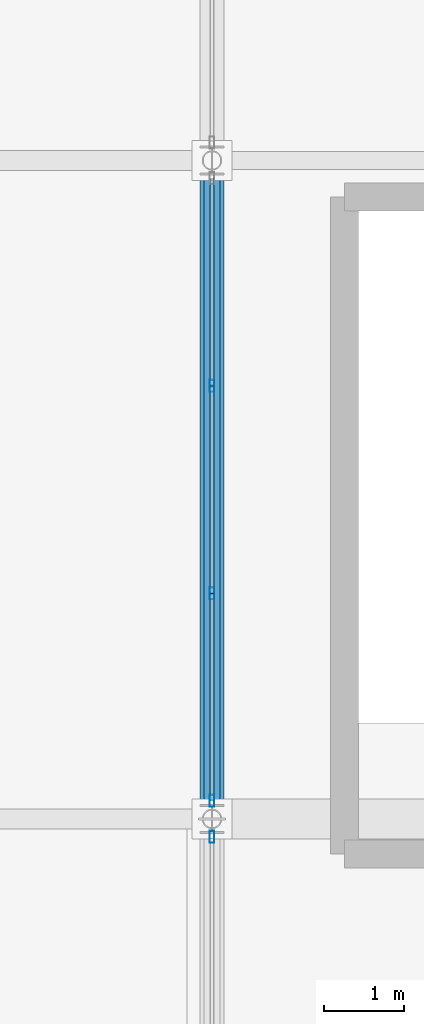
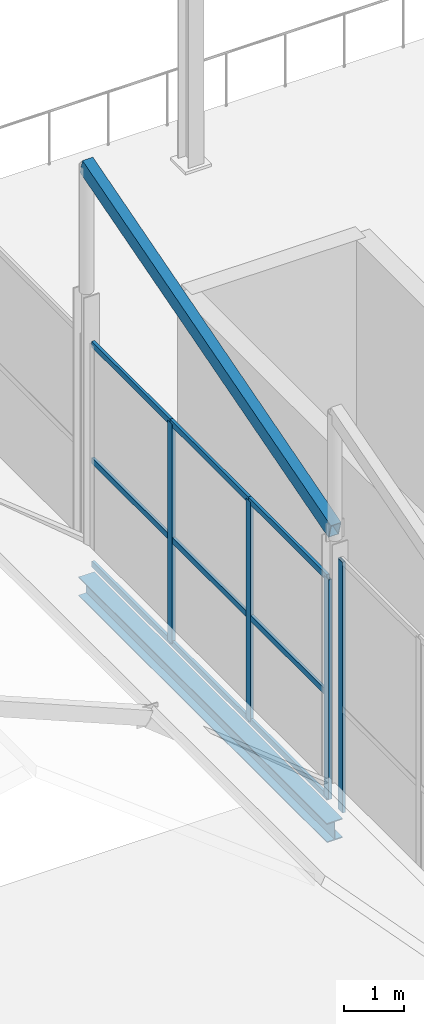
# One storey, part 18 of 141: 14 members, 1 beam, 2 elements without a shape of their own.
"""IFC4 building model written with IfcOpenShell, lengths in metres."""

from ifc_helpers import new_model, si_unit, direction, frame, origin, origin_2d, place, context, subcontext, project, spatial, hollow_rectangle, i_section, extrude, material, layer, layer_set, material_profile, profile_set, type_object, element, aggregate, save


model = new_model("IFC4")

# Units and contexts
model_context = context("Model", 3, precision=1e-05, world=origin(), true_north=direction((0.0, 1.0)))
body_context = subcontext(model_context, "Body", "Model", "MODEL_VIEW")
ifc_project = project(units=[si_unit("LENGTHUNIT", "METRE"), si_unit("AREAUNIT", "SQUARE_METRE"), si_unit("VOLUMEUNIT", "CUBIC_METRE"), si_unit("PLANEANGLEUNIT", "RADIAN"), si_unit("MASSUNIT", "GRAM", prefix="KILO")], contexts=[model_context])

# Site, building, storey
site_placement = place(None, origin())
site = spatial("IfcSite", under=ifc_project, at=site_placement, CompositionType="ELEMENT")
building_placement = place(site_placement, origin())
building = spatial("IfcBuilding", under=site, at=building_placement, Name="Sundgate Opera House", CompositionType="ELEMENT")
storey_placement = place(building_placement, frame((0.0, 0.0, 11.39990234375)))
storey = spatial("IfcBuildingStorey", under=building, at=storey_placement, Name="L02", CompositionType="ELEMENT", Elevation=11.39990234375)

# Beam
ifc_material_1 = material(Name="Steel S355J2", Category="steel")
ifc_material_profile_1 = material_profile(ifc_material_1, i_section(OverallWidth=0.300048828125, OverallDepth=0.389892578125, WebThickness=0.010986328125, FlangeThickness=0.01904296875, at=origin_2d()), Name="HEA 400")
ifc_profile_set_1 = profile_set([ifc_material_profile_1], Name="Steel S355J2")
beam_type = type_object("IfcBeamType", Name="BM-GR-HEA400", PredefinedType="BEAM", material=ifc_profile_set_1)
beam_placement = place(storey_placement, frame((95.39990234375, 24.75, -0.544921875), z_axis=(0.0, 1.0, 0.0), x_axis=(-1.0, 0.0, 0.0)))
element("IfcBeam", 1, at=beam_placement, inside=storey, type_object=beam_type, Name="L02 Primary N-S Girder B1846", PredefinedType="BEAM", context=body_context, shape_type="SweptSolid", body=[
    extrude(i_section(OverallWidth=0.300048828125, OverallDepth=0.389892578125, WebThickness=0.010986328125, FlangeThickness=0.01904296875, at=origin_2d()), origin(), (0.0, 0.0, 1.0), 8.25),
])

# Curtain wall, member
ifc_material_2 = material(Name="Anodized aluminium and low-iron glass", Category="aluminium")
ifc_layer = layer(ifc_material_2, 0.14990234375)
ifc_layer_set = layer_set([ifc_layer], Name="Anodized aluminium and low-iron glass")
curtain_wall_type = type_object("IfcCurtainWallType", Name="CW-WORKSHOP-DARK", PredefinedType="NOTDEFINED", material=ifc_layer_set)
curtain_wall_1_placement = place(storey_placement, origin())
curtain_wall_1 = element("IfcCurtainWall", 2, at=curtain_wall_1_placement, inside=storey, type_object=curtain_wall_type, Name="L02 Curtain Wall CW163", PredefinedType="NOTDEFINED")
ifc_material_3 = material(Name="Anodized aluminium EN AW-6063", Category="aluminium")
ifc_material_profile_2 = material_profile(ifc_material_3, hollow_rectangle(XDim=0.06005859375, YDim=0.14990234375, WallThickness=0.00390625, at=origin_2d()), Name="CWM 150x60x4")
ifc_profile_set_2 = profile_set([ifc_material_profile_2], Name="Anodized aluminium EN AW-6063")
member_type_1 = type_object("IfcMemberType", Name="CWM-ALU-150x60", PredefinedType="MULLION", material=ifc_profile_set_2)
member_1_placement = place(storey_placement, frame((95.39990234375, 24.52490234375, 0.0), z_axis=(0.0, 0.0, 1.0), x_axis=(1.0, 0.0, 0.0)))
member_1 = element("IfcMember", 3, at=member_1_placement, type_object=member_type_1, Name="CW163 Mullion 1", PredefinedType="MULLION", context=body_context, shape_type="SweptSolid", body=[
    extrude(hollow_rectangle(XDim=0.06005859375, YDim=0.14990234375, WallThickness=0.00390625, at=origin_2d()), origin(), (0.0, 0.0, 1.0), 5.085205078125),
])
aggregate(curtain_wall_1, [member_1])

# Curtain wall, members
curtain_wall_2_placement = place(storey_placement, origin())
curtain_wall_2 = element("IfcCurtainWall", 4, at=curtain_wall_2_placement, inside=storey, type_object=curtain_wall_type, Name="L02 Curtain Wall CW164", PredefinedType="NOTDEFINED")
member_2_placement = place(storey_placement, frame((95.39990234375, 30.175048828125, 0.0), z_axis=(0.0, 0.0, 1.0), x_axis=(1.0, 0.0, 0.0)))
member_2 = element("IfcMember", 5, at=member_2_placement, type_object=member_type_1, Name="CW164 Mullion 2", PredefinedType="MULLION", context=body_context, shape_type="SweptSolid", body=[
    extrude(hollow_rectangle(XDim=0.06005859375, YDim=0.14990234375, WallThickness=0.00390625, at=origin_2d()), origin(), (0.0, 0.0, 1.0), 4.455078125),
])
member_3_placement = place(storey_placement, frame((95.39990234375, 27.574951171875, 0.0), z_axis=(0.0, 0.0, 1.0), x_axis=(1.0, 0.0, 0.0)))
member_3 = element("IfcMember", 6, at=member_3_placement, type_object=member_type_1, Name="CW164 Mullion 3", PredefinedType="MULLION", context=body_context, shape_type="SweptSolid", body=[
    extrude(hollow_rectangle(XDim=0.06005859375, YDim=0.14990234375, WallThickness=0.00390625, at=origin_2d()), origin(), (0.0, 0.0, 1.0), 4.455078125),
])
member_4_placement = place(storey_placement, frame((95.39990234375, 24.97509765625, 0.0), z_axis=(0.0, 0.0, 1.0), x_axis=(1.0, 0.0, 0.0)))
member_4 = element("IfcMember", 7, at=member_4_placement, type_object=member_type_1, Name="CW164 Mullion 4", PredefinedType="MULLION", context=body_context, shape_type="SweptSolid", body=[
    extrude(hollow_rectangle(XDim=0.06005859375, YDim=0.14990234375, WallThickness=0.00390625, at=origin_2d()), origin(), (0.0, 0.0, 1.0), 4.455078125),
])
ifc_material_4 = material(Name="Anodized aluminium EN AW-6063", Category="aluminium")
ifc_material_profile_3 = material_profile(ifc_material_4, hollow_rectangle(XDim=0.054931640625, YDim=0.1201171875, WallThickness=0.00390625, at=origin_2d()), Name="CWT 120x55x4")
ifc_profile_set_3 = profile_set([ifc_material_profile_3], Name="Anodized aluminium EN AW-6063")
member_type_2 = type_object("IfcMemberType", Name="CWT-ALU-120x55", PredefinedType="USERDEFINED", material=ifc_profile_set_3)
member_5_placement = place(storey_placement, frame((95.39990234375, 32.77490234375, 0.0), z_axis=(0.0, -1.0, 0.0), x_axis=(1.0, 0.0, 0.0)))
member_5 = element("IfcMember", 8, at=member_5_placement, type_object=member_type_2, Name="CW164 Transom 1", ObjectType="TRANSOM", PredefinedType="USERDEFINED", context=body_context, shape_type="SweptSolid", body=[
    extrude(hollow_rectangle(XDim=0.054931640625, YDim=0.1201171875, WallThickness=0.00390625, at=origin_2d()), origin(), (0.0, 0.0, 1.0), 2.599853515625),
])
member_6_placement = place(storey_placement, frame((95.39990234375, 32.77490234375, 2.10009765625), z_axis=(0.0, -1.0, 0.0), x_axis=(1.0, 0.0, 0.0)))
member_6 = element("IfcMember", 9, at=member_6_placement, type_object=member_type_2, Name="CW164 Transom 2", ObjectType="TRANSOM", PredefinedType="USERDEFINED", context=body_context, shape_type="SweptSolid", body=[
    extrude(hollow_rectangle(XDim=0.054931640625, YDim=0.1201171875, WallThickness=0.00390625, at=origin_2d()), origin(), (0.0, 0.0, 1.0), 2.599853515625),
])
member_7_placement = place(storey_placement, frame((95.39990234375, 32.77490234375, 4.455078125), z_axis=(0.0, -1.0, 0.0), x_axis=(1.0, 0.0, 0.0)))
member_7 = element("IfcMember", 10, at=member_7_placement, type_object=member_type_2, Name="CW164 Transom 3", ObjectType="TRANSOM", PredefinedType="USERDEFINED", context=body_context, shape_type="SweptSolid", body=[
    extrude(hollow_rectangle(XDim=0.054931640625, YDim=0.1201171875, WallThickness=0.00390625, at=origin_2d()), origin(), (0.0, 0.0, 1.0), 2.599853515625),
])
member_8_placement = place(storey_placement, frame((95.39990234375, 30.175048828125, 0.0), z_axis=(0.0, -1.0, 0.0), x_axis=(1.0, 0.0, 0.0)))
member_8 = element("IfcMember", 11, at=member_8_placement, type_object=member_type_2, Name="CW164 Transom 4", ObjectType="TRANSOM", PredefinedType="USERDEFINED", context=body_context, shape_type="SweptSolid", body=[
    extrude(hollow_rectangle(XDim=0.054931640625, YDim=0.1201171875, WallThickness=0.00390625, at=origin_2d()), origin(), (0.0, 0.0, 1.0), 2.60009765625),
])
member_9_placement = place(storey_placement, frame((95.39990234375, 30.175048828125, 2.10009765625), z_axis=(0.0, -1.0, 0.0), x_axis=(1.0, 0.0, 0.0)))
member_9 = element("IfcMember", 12, at=member_9_placement, type_object=member_type_2, Name="CW164 Transom 5", ObjectType="TRANSOM", PredefinedType="USERDEFINED", context=body_context, shape_type="SweptSolid", body=[
    extrude(hollow_rectangle(XDim=0.054931640625, YDim=0.1201171875, WallThickness=0.00390625, at=origin_2d()), origin(), (0.0, 0.0, 1.0), 2.60009765625),
])
member_10_placement = place(storey_placement, frame((95.39990234375, 30.175048828125, 4.455078125), z_axis=(0.0, -1.0, 0.0), x_axis=(1.0, 0.0, 0.0)))
member_10 = element("IfcMember", 13, at=member_10_placement, type_object=member_type_2, Name="CW164 Transom 6", ObjectType="TRANSOM", PredefinedType="USERDEFINED", context=body_context, shape_type="SweptSolid", body=[
    extrude(hollow_rectangle(XDim=0.054931640625, YDim=0.1201171875, WallThickness=0.00390625, at=origin_2d()), origin(), (0.0, 0.0, 1.0), 2.60009765625),
])
member_11_placement = place(storey_placement, frame((95.39990234375, 27.574951171875, 0.0), z_axis=(0.0, -1.0, 0.0), x_axis=(1.0, 0.0, 0.0)))
member_11 = element("IfcMember", 14, at=member_11_placement, type_object=member_type_2, Name="CW164 Transom 7", ObjectType="TRANSOM", PredefinedType="USERDEFINED", context=body_context, shape_type="SweptSolid", body=[
    extrude(hollow_rectangle(XDim=0.054931640625, YDim=0.1201171875, WallThickness=0.00390625, at=origin_2d()), origin(), (0.0, 0.0, 1.0), 2.599853515625),
])
member_12_placement = place(storey_placement, frame((95.39990234375, 27.574951171875, 2.10009765625), z_axis=(0.0, -1.0, 0.0), x_axis=(1.0, 0.0, 0.0)))
member_12 = element("IfcMember", 15, at=member_12_placement, type_object=member_type_2, Name="CW164 Transom 8", ObjectType="TRANSOM", PredefinedType="USERDEFINED", context=body_context, shape_type="SweptSolid", body=[
    extrude(hollow_rectangle(XDim=0.054931640625, YDim=0.1201171875, WallThickness=0.00390625, at=origin_2d()), origin(), (0.0, 0.0, 1.0), 2.599853515625),
])
member_13_placement = place(storey_placement, frame((95.39990234375, 27.574951171875, 4.455078125), z_axis=(0.0, -1.0, 0.0), x_axis=(1.0, 0.0, 0.0)))
member_13 = element("IfcMember", 16, at=member_13_placement, type_object=member_type_2, Name="CW164 Transom 9", ObjectType="TRANSOM", PredefinedType="USERDEFINED", context=body_context, shape_type="SweptSolid", body=[
    extrude(hollow_rectangle(XDim=0.054931640625, YDim=0.1201171875, WallThickness=0.00390625, at=origin_2d()), origin(), (0.0, 0.0, 1.0), 2.599853515625),
])
aggregate(curtain_wall_2, [member_2, member_3, member_4, member_5, member_6, member_7, member_8, member_9, member_10, member_11, member_12, member_13])

# Member
ifc_material_5 = material(Name="Steel S355J2", Category="steel")
ifc_material_profile_4 = material_profile(ifc_material_5, hollow_rectangle(XDim=0.199951171875, YDim=0.300048828125, WallThickness=0.012451171875, at=origin_2d()), Name="RHS 300x200x12.5")
ifc_profile_set_4 = profile_set([ifc_material_profile_4], Name="Steel S355J2")
member_type_3 = type_object("IfcMemberType", Name="MB-CHORD-RHS300", PredefinedType="CHORD", material=ifc_profile_set_4)
member_14_placement = place(storey_placement, frame((95.39990234375, 24.75, 5.550048828125), z_axis=(0.0, 0.96019072379, 0.279345259398), x_axis=(-1.0, 0.0, 0.0)))
element("IfcMember", 17, at=member_14_placement, inside=storey, type_object=member_type_3, Name="L02 Sawtooth Rafter M0417", PredefinedType="CHORD", context=body_context, shape_type="SweptSolid", body=[
    extrude(hollow_rectangle(XDim=0.199951171875, YDim=0.300048828125, WallThickness=0.012451171875, at=origin_2d()), origin(), (0.0, 0.0, 1.0), 8.592041015625),
])

save(model, "model.ifc")
